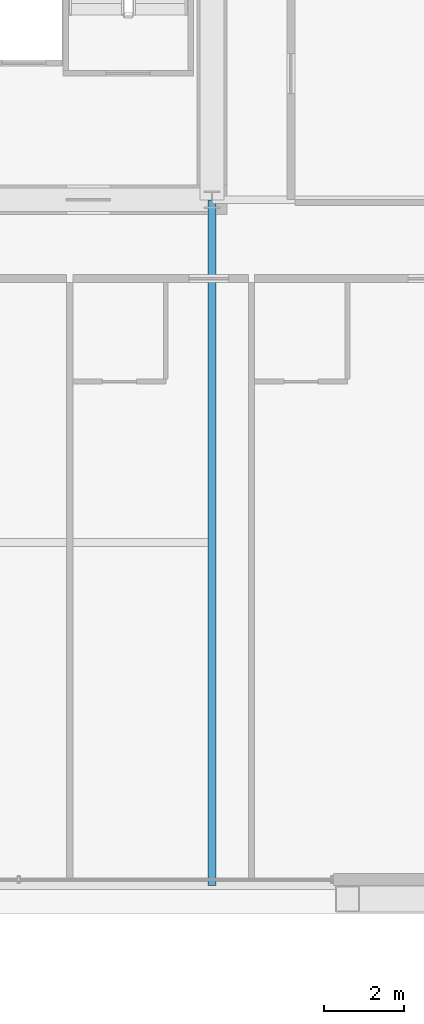
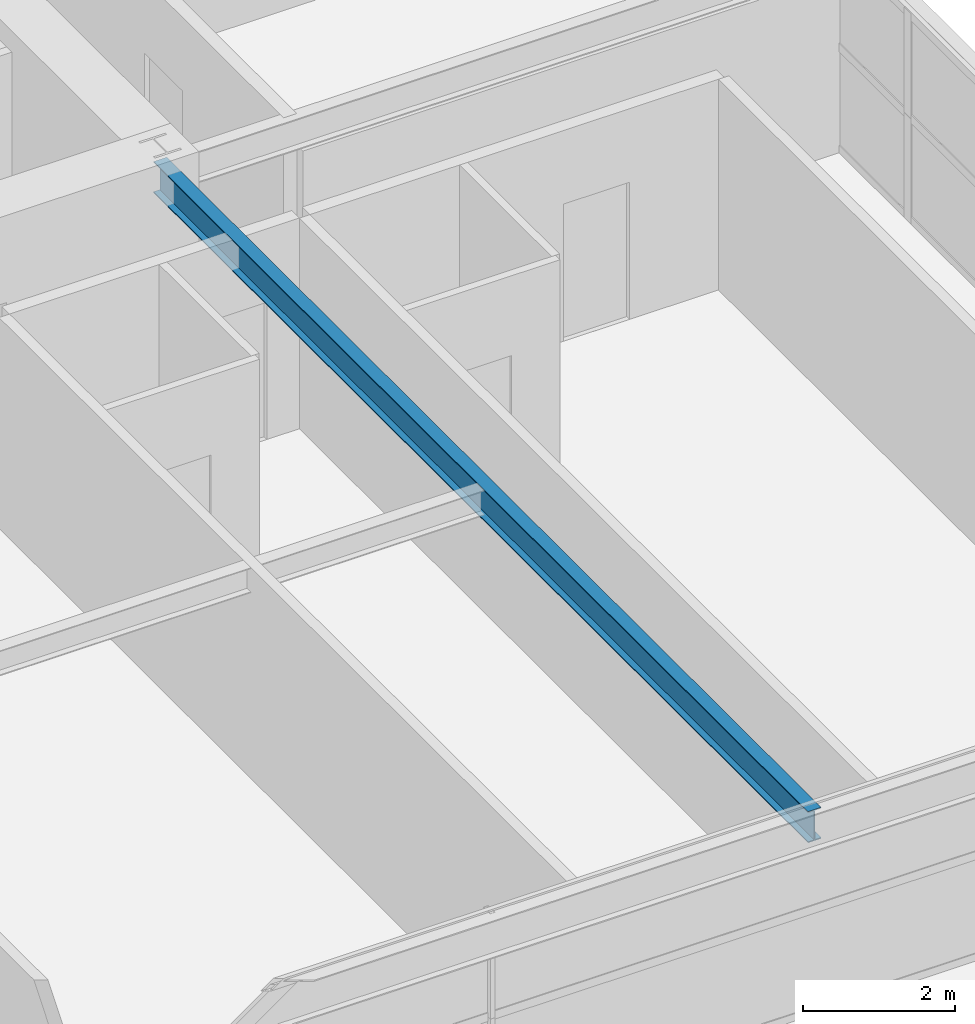
# One storey, part 17 of 43: 1 beam.
"""IFC4 building model written with IfcOpenShell, lengths in metres."""

from ifc_helpers import new_model, si_unit, direction, frame, origin, origin_2d, place, context, subcontext, project, spatial, i_section, extrude, source, transform, mapped, material, material_profile, profile_set, type_object, element, save


model = new_model("IFC4")

# Units and contexts
model_context = context("Model", 3, precision=1e-05, world=origin(), true_north=direction((0.0, 1.0)))
body_context = subcontext(model_context, "Body", "Model", "MODEL_VIEW")
ifc_project = project(units=[si_unit("LENGTHUNIT", "METRE"), si_unit("AREAUNIT", "SQUARE_METRE"), si_unit("VOLUMEUNIT", "CUBIC_METRE"), si_unit("PLANEANGLEUNIT", "RADIAN"), si_unit("MASSUNIT", "GRAM", prefix="KILO"), si_unit("THERMODYNAMICTEMPERATUREUNIT", "KELVIN"), si_unit("POWERUNIT", "WATT")], contexts=[model_context])

# Site, building, storey
site_placement = place(None, origin())
site = spatial("IfcSite", under=ifc_project, at=site_placement, CompositionType="ELEMENT")
building_placement = place(site_placement, origin())
building = spatial("IfcBuilding", under=site, at=building_placement, Name="Yuzanri Waterfront Tower", CompositionType="ELEMENT")
storey_placement = place(building_placement, frame((0.0, 0.0, 93.800048828125)))
storey = spatial("IfcBuildingStorey", under=building, at=storey_placement, Name="L24", CompositionType="ELEMENT", Elevation=93.800048828125)

# Beam
ifc_material = material(Name="Steel Q355B", Category="steel")
ifc_material_profile = material_profile(ifc_material, i_section(OverallWidth=0.199951171875, OverallDepth=0.5, WebThickness=0.010009765625, FlangeThickness=0.01611328125, at=origin_2d()), Name="HN 500x200x10x16")
ifc_profile_set = profile_set([ifc_material_profile], Name="Steel Q355B")
beam_type = type_object("IfcBeamType", Name="Secondary Floor Beam Q355B HN 500x200", PredefinedType="BEAM", material=ifc_profile_set)
shared_shape = source(origin(), body_context, "Body", "SweptSolid", [
    extrude(i_section(OverallWidth=0.199951171875, OverallDepth=0.5, WebThickness=0.010009765625, FlangeThickness=0.01611328125, at=origin_2d()), origin(), (0.0, 0.0, 1.0), 17.199951171875),
])
beam_placement = place(storey_placement, frame((50.199951171875, 19.39990234375, 3.1298828125), z_axis=(0.0, -1.0, 0.0), x_axis=(1.0, 0.0, 0.0)))
element("IfcBeam", 1, at=beam_placement, inside=storey, type_object=beam_type, Name="L24 South-East Core Line Beam", PredefinedType="BEAM", context=body_context, shape_type="MappedRepresentation", body=[
    mapped(shared_shape, transform((0.0, 0.0, 0.0), scale=1.0)),
])

save(model, "model.ifc")
